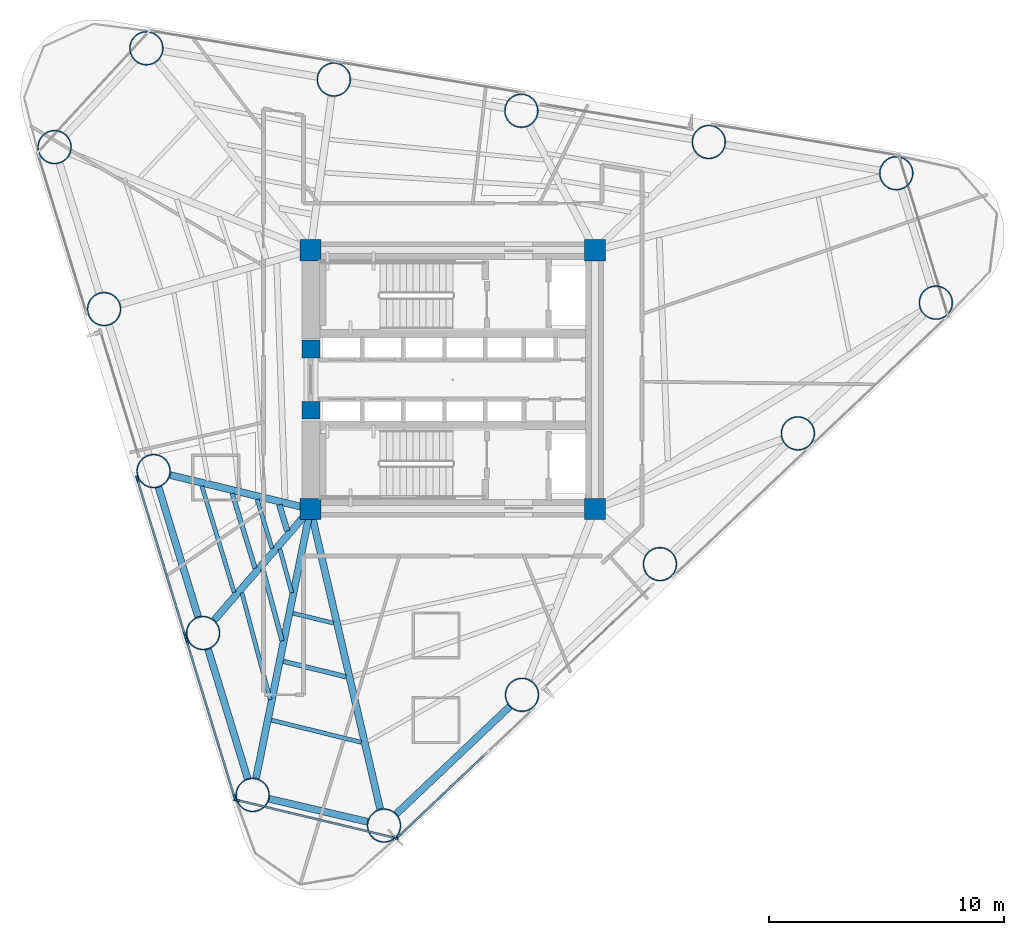
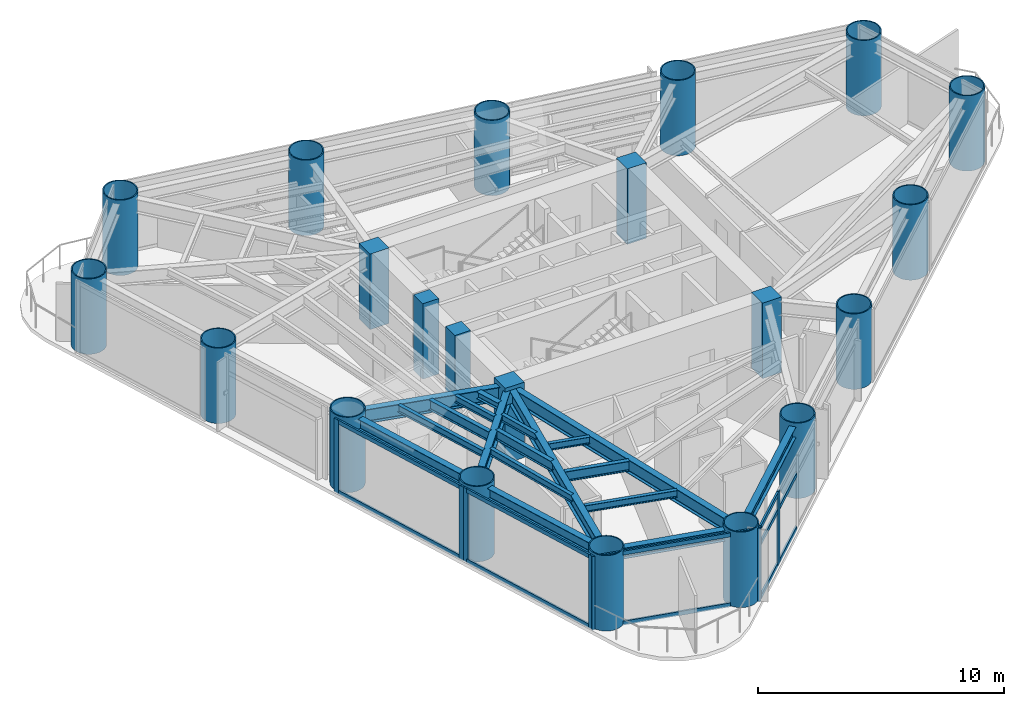
# One storey, part 1 of 10: 21 columns, 19 members, 18 beams, 4 elements without a shape of their own.
"""IFC4 building model written with IfcOpenShell, lengths in metres."""

from ifc_helpers import new_model, si_unit, direction, frame, origin, origin_2d, place, context, subcontext, project, spatial, rectangle, hollow_circle, i_section, extrude, source, transform, mapped, material, layer, layer_set, material_profile, profile_set, type_object, element, aggregate, save


model = new_model("IFC4")

# Units and contexts
model_context = context("Model", 3, precision=1e-05, world=origin(), true_north=direction((0.0, 1.0)))
body_context = subcontext(model_context, "Body", "Model", "MODEL_VIEW")
ifc_project = project(units=[si_unit("LENGTHUNIT", "METRE"), si_unit("AREAUNIT", "SQUARE_METRE"), si_unit("VOLUMEUNIT", "CUBIC_METRE"), si_unit("PLANEANGLEUNIT", "RADIAN"), si_unit("MASSUNIT", "GRAM", prefix="KILO")], contexts=[model_context])

# Site, building, storey
site_placement = place(None, origin())
site = spatial("IfcSite", under=ifc_project, at=site_placement, CompositionType="ELEMENT")
building_placement = place(site_placement, origin())
building = spatial("IfcBuilding", under=site, at=building_placement, Name="Yunling Apex Tower", CompositionType="ELEMENT")
storey_placement = place(building_placement, frame((0.0, 0.0, 89.89990234375)))
storey = spatial("IfcBuildingStorey", under=building, at=storey_placement, Name="L22", CompositionType="ELEMENT", Elevation=89.89990234375)

# Columns
ifc_material_1 = material(Name="Concrete C60", Category="concrete")
ifc_material_profile_1 = material_profile(ifc_material_1, rectangle(XDim=0.89990234375, YDim=0.89990234375, at=origin_2d()))
ifc_profile_set_1 = profile_set([ifc_material_profile_1], Name="Concrete C60")
column_type_1 = type_object("IfcColumnType", Name="PC-SRC-3", PredefinedType="COLUMN", material=ifc_profile_set_1)
shared_shape_1 = source(origin(), body_context, "Body", "SweptSolid", [
    extrude(rectangle(XDim=0.89990234375, YDim=0.89990234375, at=origin_2d()), origin(), (0.0, 0.0, 1.0), 3.75),
])
for number, where, z_axis, x_axis, name in (
    (1, (-6.050048828125, -5.5, 0.0), (0.0, 0.0, 1.0), (1.0, 0.0, 0.0), "L22 Core Spine Column CC-SW"),
    (2, (6.050048828125, -5.5, 0.0), (0.0, 0.0, 1.0), (1.0, 0.0, 0.0), "L22 Core Spine Column CC-SE"),
    (3, (6.050048828125, 5.5, 0.0), (0.0, 0.0, 1.0), (1.0, 0.0, 0.0), "L22 Core Spine Column CC-NE"),
    (4, (-6.050048828125, 5.5, 0.0), (0.0, 0.0, 1.0), (1.0, 0.0, 0.0), "L22 Core Spine Column CC-NW"),
):
    element("IfcColumn", number, at=place(storey_placement, frame(where, z_axis=z_axis, x_axis=x_axis)), inside=storey, type_object=column_type_1, Name=name, PredefinedType="COLUMN", context=body_context, shape_type="MappedRepresentation", body=[
        mapped(shared_shape_1, transform((0.0, 0.0, 0.0), scale=1.0)),
    ])
ifc_material_2 = material(Name="Concrete C50", Category="concrete")
ifc_material_profile_2 = material_profile(ifc_material_2, rectangle(XDim=0.75, YDim=0.75, at=origin_2d()))
ifc_profile_set_2 = profile_set([ifc_material_profile_2], Name="Concrete C50")
column_type_2 = type_object("IfcColumnType", Name="PC-SRC-4", PredefinedType="COLUMN", material=ifc_profile_set_2)
shared_shape_2 = source(origin(), body_context, "Body", "SweptSolid", [
    extrude(rectangle(XDim=0.75, YDim=0.75, at=origin_2d()), origin(), (0.0, 0.0, 1.0), 3.75),
])
for number, where, z_axis, x_axis, name in (
    (5, (-6.02490234375, -1.300048828125, 0.0), (0.0, 0.0, 1.0), (1.0, 0.0, 0.0), "L22 Core West Portal Jamb Column S"),
    (6, (-6.02490234375, 1.300048828125, 0.0), (0.0, 0.0, 1.0), (1.0, 0.0, 0.0), "L22 Core West Portal Jamb Column N"),
):
    element("IfcColumn", number, at=place(storey_placement, frame(where, z_axis=z_axis, x_axis=x_axis)), inside=storey, type_object=column_type_2, Name=name, PredefinedType="COLUMN", context=body_context, shape_type="MappedRepresentation", body=[
        mapped(shared_shape_2, transform((0.0, 0.0, 0.0), scale=1.0)),
    ])
ifc_material_3 = material(Name="Steel Q390GJC", Category="steel")
ifc_material_profile_3 = material_profile(ifc_material_3, hollow_circle(Radius=0.72509765625, WallThickness=0.050048828125, at=origin_2d()))
ifc_profile_set_3 = profile_set([ifc_material_profile_3], Name="Steel Q390GJC")
column_type_3 = type_object("IfcColumnType", Name="MC-CFST-2", PredefinedType="COLUMN", material=ifc_profile_set_3)
shared_shape_3 = source(origin(), body_context, "Body", "SweptSolid", [
    extrude(hollow_circle(Radius=0.72509765625, WallThickness=0.050048828125, at=origin_2d()), origin(), (0.0, 0.0, 1.0), 3.75),
])
for number, where, z_axis, x_axis, name in (
    (7, (-2.92138671875, -18.960205078125, 0.0), (0.0, 0.0, 1.0), (1.0, 0.0, 0.0), "L22 Perimeter CFST Mega-Column P01"),
    (8, (2.943359375, -13.40234375, 0.0), (0.0, 0.0, 1.0), (1.0, 0.0, 0.0), "L22 Perimeter CFST Mega-Column P02"),
    (9, (8.80810546875, -7.8447265625, 0.0), (0.0, 0.0, 1.0), (1.0, 0.0, 0.0), "L22 Perimeter CFST Mega-Column P03"),
    (10, (14.6728515625, -2.287109375, 0.0), (0.0, 0.0, 1.0), (1.0, 0.0, 0.0), "L22 Perimeter CFST Mega-Column P04"),
    (11, (20.53759765625, 3.2705078125, 0.0), (0.0, 0.0, 1.0), (1.0, 0.0, 0.0), "L22 Perimeter CFST Mega-Column P05"),
    (12, (18.855224609375, 8.77294921875, 0.0), (0.0, 0.0, 1.0), (1.0, 0.0, 0.0), "L22 Perimeter CFST Mega-Column P06"),
    (13, (10.88525390625, 10.10107421875, 0.0), (0.0, 0.0, 1.0), (1.0, 0.0, 0.0), "L22 Perimeter CFST Mega-Column P07"),
    (14, (2.915283203125, 11.428955078125, 0.0), (0.0, 0.0, 1.0), (1.0, 0.0, 0.0), "L22 Perimeter CFST Mega-Column P08"),
    (15, (-5.054443359375, 12.757080078125, 0.0), (0.0, 0.0, 1.0), (1.0, 0.0, 0.0), "L22 Perimeter CFST Mega-Column P09"),
    (16, (-13.0244140625, 14.0849609375, 0.0), (0.0, 0.0, 1.0), (1.0, 0.0, 0.0), "L22 Perimeter CFST Mega-Column P10"),
    (17, (-16.927490234375, 9.88330078125, 0.0), (0.0, 0.0, 1.0), (1.0, 0.0, 0.0), "L22 Perimeter CFST Mega-Column P11"),
    (18, (-14.822509765625, 2.99755859375, 0.0), (0.0, 0.0, 1.0), (1.0, 0.0, 0.0), "L22 Perimeter CFST Mega-Column P12"),
    (19, (-12.71728515625, -3.887939453125, 0.0), (0.0, 0.0, 1.0), (1.0, 0.0, 0.0), "L22 Perimeter CFST Mega-Column P13"),
    (20, (-10.612060546875, -10.773681640625, 0.0), (0.0, 0.0, 1.0), (1.0, 0.0, 0.0), "L22 Perimeter CFST Mega-Column P14"),
    (21, (-8.5068359375, -17.6591796875, 0.0), (0.0, 0.0, 1.0), (1.0, 0.0, 0.0), "L22 Perimeter CFST Mega-Column P15"),
):
    element("IfcColumn", number, at=place(storey_placement, frame(where, z_axis=z_axis, x_axis=x_axis)), inside=storey, type_object=column_type_3, Name=name, PredefinedType="COLUMN", context=body_context, shape_type="MappedRepresentation", body=[
        mapped(shared_shape_3, transform((0.0, 0.0, 0.0), scale=1.0)),
    ])

# Beams
ifc_material_4 = material(Name="Steel Q355B", Category="steel")
ifc_material_profile_4 = material_profile(ifc_material_4, i_section(OverallWidth=0.300048828125, OverallDepth=0.5400390625, WebThickness=0.011962890625, FlangeThickness=0.02001953125, FilletRadius=0.02392578125, at=origin_2d()))
ifc_profile_set_4 = profile_set([ifc_material_profile_4], Name="Steel Q355B")
beam_type_1 = type_object("IfcBeamType", Name="BP-SPN-1", PredefinedType="SPANDREL", material=ifc_profile_set_4)
shared_shape_4 = source(origin(), body_context, "Body", "SweptSolid", [
    extrude(i_section(OverallWidth=0.300048828125, OverallDepth=0.5400390625, WebThickness=0.011962890625, FlangeThickness=0.02001953125, FilletRadius=0.02392578125, at=origin_2d()), origin(), (0.0, 0.0, 1.0), 6.6416015625),
])
beam_1_placement = place(storey_placement, frame((-2.3994140625, -18.465576171875, 3.295166015625), z_axis=(0.725837728974, 0.68786596892, 0.0), x_axis=(-0.68786596892, 0.725837728974, 0.0)))
element("IfcBeam", 22, at=beam_1_placement, inside=storey, type_object=beam_type_1, Name="L22 Perimeter Spandrel Beam 1", PredefinedType="SPANDREL", context=body_context, shape_type="MappedRepresentation", body=[
    mapped(shared_shape_4, transform((0.0, 0.0, 0.0), scale=1.0)),
])
shared_shape_5 = source(origin(), body_context, "Body", "SweptSolid", [
    extrude(i_section(OverallWidth=0.300048828125, OverallDepth=0.5400390625, WebThickness=0.011962890625, FlangeThickness=0.02001953125, FilletRadius=0.02392578125, at=origin_2d()), origin(), (0.0, 0.0, 1.0), 5.76220703125),
])
for number, where, z_axis, x_axis, name in (
    (23, (-12.507080078125, -4.57568359375, 3.295166015625), (0.292385374143, -0.956300576695, 0.0), (0.956300576695, 0.292385374143, 0.0), "L22 Perimeter Spandrel Beam 13"),
    (24, (-10.40185546875, -11.461181640625, 3.295166015625), (0.292385374143, -0.956300576695, 0.0), (0.956300576695, 0.292385374143, 0.0), "L22 Perimeter Spandrel Beam 14"),
):
    element("IfcBeam", number, at=place(storey_placement, frame(where, z_axis=z_axis, x_axis=x_axis)), inside=storey, type_object=beam_type_1, Name=name, PredefinedType="SPANDREL", context=body_context, shape_type="MappedRepresentation", body=[
        mapped(shared_shape_5, transform((0.0, 0.0, 0.0), scale=1.0)),
    ])
shared_shape_6 = source(origin(), body_context, "Body", "SweptSolid", [
    extrude(i_section(OverallWidth=0.300048828125, OverallDepth=0.5400390625, WebThickness=0.011962890625, FlangeThickness=0.02001953125, FilletRadius=0.02392578125, at=origin_2d()), origin(), (0.0, 0.0, 1.0), 4.297119140625),
])
beam_2_placement = place(storey_placement, frame((-7.806640625, -17.822509765625, 3.295166015625), z_axis=(0.973939184954, -0.226809312002, 0.0), x_axis=(0.226809312002, 0.973939184954, 0.0)))
element("IfcBeam", 25, at=beam_2_placement, inside=storey, type_object=beam_type_1, Name="L22 Perimeter Spandrel Beam 15", PredefinedType="SPANDREL", context=body_context, shape_type="MappedRepresentation", body=[
    mapped(shared_shape_6, transform((0.0, 0.0, 0.0), scale=1.0)),
])
ifc_material_profile_5 = material_profile(ifc_material_4, i_section(OverallWidth=0.300048828125, OverallDepth=0.699951171875, WebThickness=0.012939453125, FlangeThickness=0.02392578125, FilletRadius=0.02587890625, at=origin_2d()))
ifc_profile_set_5 = profile_set([ifc_material_profile_5], Name="Steel Q355B")
beam_type_2 = type_object("IfcBeamType", Name="BG-PRI-3", PredefinedType="USERDEFINED", material=ifc_profile_set_5)
shared_shape_7 = source(origin(), body_context, "Body", "SweptSolid", [
    extrude(i_section(OverallWidth=0.300048828125, OverallDepth=0.699951171875, WebThickness=0.012939453125, FlangeThickness=0.02392578125, FilletRadius=0.02587890625, at=origin_2d()), origin(), (0.0, 0.0, 1.0), 13.005859375),
])
beam_3_placement = place(storey_placement, frame((-3.08740234375, -18.24609375, 3.215087890625), z_axis=(-0.226402915749, 0.974033736449, 0.0), x_axis=(-0.974033736449, -0.226402915749, 0.0)))
element("IfcBeam", 26, at=beam_3_placement, inside=storey, type_object=beam_type_2, Name="L22 Radial Primary Girder R01", ObjectType="GIRDER", PredefinedType="USERDEFINED", context=body_context, shape_type="MappedRepresentation", body=[
    mapped(shared_shape_7, transform((0.0, 0.0, 0.0), scale=1.0)),
])
shared_shape_8 = source(origin(), body_context, "Body", "SweptSolid", [
    extrude(i_section(OverallWidth=0.300048828125, OverallDepth=0.699951171875, WebThickness=0.012939453125, FlangeThickness=0.02392578125, FilletRadius=0.02587890625, at=origin_2d()), origin(), (0.0, 0.0, 1.0), 6.046630859375),
])
beam_4_placement = place(storey_placement, frame((-12.0048828125, -4.060302734375, 3.215087890625), z_axis=(0.971996717199, -0.234994429199, 0.0), x_axis=(0.234994429199, 0.971996717199, 0.0)))
element("IfcBeam", 27, at=beam_4_placement, inside=storey, type_object=beam_type_2, Name="L22 Radial Primary Girder R13", ObjectType="GIRDER", PredefinedType="USERDEFINED", context=body_context, shape_type="MappedRepresentation", body=[
    mapped(shared_shape_8, transform((0.0, 0.0, 0.0), scale=1.0)),
])
shared_shape_9 = source(origin(), body_context, "Body", "SweptSolid", [
    extrude(i_section(OverallWidth=0.300048828125, OverallDepth=0.699951171875, WebThickness=0.012939453125, FlangeThickness=0.02392578125, FilletRadius=0.02587890625, at=origin_2d()), origin(), (0.0, 0.0, 1.0), 6.16015625),
])
beam_5_placement = place(storey_placement, frame((-10.132568359375, -10.21923828125, 3.215087890625), z_axis=(0.654257326822, 0.756272008142, 0.0), x_axis=(-0.756272008142, 0.654257326822, 0.0)))
element("IfcBeam", 28, at=beam_5_placement, inside=storey, type_object=beam_type_2, Name="L22 Radial Primary Girder R14", ObjectType="GIRDER", PredefinedType="USERDEFINED", context=body_context, shape_type="MappedRepresentation", body=[
    mapped(shared_shape_9, transform((0.0, 0.0, 0.0), scale=1.0)),
])
shared_shape_10 = source(origin(), body_context, "Body", "SweptSolid", [
    extrude(i_section(OverallWidth=0.300048828125, OverallDepth=0.699951171875, WebThickness=0.012939453125, FlangeThickness=0.02392578125, FilletRadius=0.02587890625, at=origin_2d()), origin(), (0.0, 0.0, 1.0), 11.59228515625),
])
beam_6_placement = place(storey_placement, frame((-8.36181640625, -16.94091796875, 3.215087890625), z_axis=(0.198055775124, 0.980190751813, 0.0), x_axis=(-0.980190751813, 0.198055775124, 0.0)))
element("IfcBeam", 29, at=beam_6_placement, inside=storey, type_object=beam_type_2, Name="L22 Radial Primary Girder R15", ObjectType="GIRDER", PredefinedType="USERDEFINED", context=body_context, shape_type="MappedRepresentation", body=[
    mapped(shared_shape_10, transform((0.0, 0.0, 0.0), scale=1.0)),
])
ifc_material_profile_6 = material_profile(ifc_material_4, i_section(OverallWidth=0.199951171875, OverallDepth=0.5, WebThickness=0.010009765625, FlangeThickness=0.01611328125, FilletRadius=0.02001953125, at=origin_2d()))
ifc_profile_set_6 = profile_set([ifc_material_profile_6], Name="Steel Q355B")
beam_type_3 = type_object("IfcBeamType", Name="BS-SEC-2", PredefinedType="BEAM", material=ifc_profile_set_6)
shared_shape_11 = source(origin(), body_context, "Body", "SweptSolid", [
    extrude(i_section(OverallWidth=0.199951171875, OverallDepth=0.5, WebThickness=0.010009765625, FlangeThickness=0.01611328125, FilletRadius=0.02001953125, at=origin_2d()), origin(), (0.0, 0.0, 1.0), 3.321533203125),
])
beam_7_placement = place(storey_placement, frame((-9.372314453125, -4.838623046875, 3.315185546875), z_axis=(0.291000743066, -0.956722826912, 0.0), x_axis=(0.956722826912, 0.291000743066, 0.0)))
element("IfcBeam", 30, at=beam_7_placement, inside=storey, type_object=beam_type_3, Name="L22 Composite Floor Beam BS-13", PredefinedType="BEAM", context=body_context, shape_type="MappedRepresentation", body=[
    mapped(shared_shape_11, transform((0.0, 0.0, 0.0), scale=1.0)),
])
ifc_material_profile_7 = material_profile(ifc_material_4, i_section(OverallWidth=0.175048828125, OverallDepth=0.35009765625, WebThickness=0.007080078125, FlangeThickness=0.010986328125, FilletRadius=0.013916015625, at=origin_2d()))
ifc_profile_set_7 = profile_set([ifc_material_profile_7], Name="Steel Q355B")
beam_type_4 = type_object("IfcBeamType", Name="BJ-JST-1", PredefinedType="JOIST", material=ifc_profile_set_7)
shared_shape_12 = source(origin(), body_context, "Body", "SweptSolid", [
    extrude(i_section(OverallWidth=0.175048828125, OverallDepth=0.35009765625, WebThickness=0.007080078125, FlangeThickness=0.010986328125, FilletRadius=0.013916015625, at=origin_2d()), origin(), (0.0, 0.0, 1.0), 4.719482421875),
])
beam_8_placement = place(storey_placement, frame((-10.665283203125, -4.52587890625, 3.39013671875), z_axis=(0.290881649014, -0.95675904295, 0.0), x_axis=(0.95675904295, 0.290881649014, 0.0)))
element("IfcBeam", 31, at=beam_8_placement, inside=storey, type_object=beam_type_4, Name="L22 Composite Floor Joist BJ1-13", PredefinedType="JOIST", context=body_context, shape_type="MappedRepresentation", body=[
    mapped(shared_shape_12, transform((0.0, 0.0, 0.0), scale=1.0)),
])
shared_shape_13 = source(origin(), body_context, "Body", "SweptSolid", [
    extrude(i_section(OverallWidth=0.175048828125, OverallDepth=0.35009765625, WebThickness=0.007080078125, FlangeThickness=0.010986328125, FilletRadius=0.013916015625, at=origin_2d()), origin(), (0.0, 0.0, 1.0), 2.177734375),
])
beam_9_placement = place(storey_placement, frame((-8.314453125, -5.09423828125, 3.39013671875), z_axis=(0.291130389824, -0.956683383425, 0.0), x_axis=(0.956683383425, 0.291130389824, 0.0)))
element("IfcBeam", 32, at=beam_9_placement, inside=storey, type_object=beam_type_4, Name="L22 Composite Floor Joist BJ3-13", PredefinedType="JOIST", context=body_context, shape_type="MappedRepresentation", body=[
    mapped(shared_shape_13, transform((0.0, 0.0, 0.0), scale=1.0)),
])
ifc_material_profile_8 = material_profile(ifc_material_4, i_section(OverallWidth=0.25, OverallDepth=0.340087890625, WebThickness=0.009033203125, FlangeThickness=0.013916015625, FilletRadius=0.01806640625, at=origin_2d()))
ifc_profile_set_8 = profile_set([ifc_material_profile_8], Name="Steel Q355B")
beam_type_5 = type_object("IfcBeamType", Name="BJ-JST-2", PredefinedType="JOIST", material=ifc_profile_set_8)
shared_shape_14 = source(origin(), body_context, "Body", "SweptSolid", [
    extrude(i_section(OverallWidth=0.25, OverallDepth=0.340087890625, WebThickness=0.009033203125, FlangeThickness=0.013916015625, FilletRadius=0.01806640625, at=origin_2d()), origin(), (0.0, 0.0, 1.0), 1.160888671875),
])
beam_10_placement = place(storey_placement, frame((-7.3740234375, -5.32177734375, 3.39501953125), z_axis=(0.291454472577, -0.956584701119, 0.0), x_axis=(0.956584701119, 0.291454472577, 0.0)))
element("IfcBeam", 33, at=beam_10_placement, inside=storey, type_object=beam_type_5, Name="L22 Composite Floor Joist BJ2-13", PredefinedType="JOIST", context=body_context, shape_type="MappedRepresentation", body=[
    mapped(shared_shape_14, transform((0.0, 0.0, 0.0), scale=1.0)),
])
shared_shape_15 = source(origin(), body_context, "Body", "SweptSolid", [
    extrude(i_section(OverallWidth=0.199951171875, OverallDepth=0.5, WebThickness=0.010009765625, FlangeThickness=0.01611328125, FilletRadius=0.02001953125, at=origin_2d()), origin(), (0.0, 0.0, 1.0), 3.168701171875),
])
beam_11_placement = place(storey_placement, frame((-8.075927734375, -8.04443359375, 3.315185546875), z_axis=(0.259033901524, -0.965868230071, 0.0), x_axis=(0.965868230071, 0.259033901524, 0.0)))
element("IfcBeam", 34, at=beam_11_placement, inside=storey, type_object=beam_type_3, Name="L22 Composite Floor Beam BS-14", PredefinedType="BEAM", context=body_context, shape_type="MappedRepresentation", body=[
    mapped(shared_shape_15, transform((0.0, 0.0, 0.0), scale=1.0)),
])
shared_shape_16 = source(origin(), body_context, "Body", "SweptSolid", [
    extrude(i_section(OverallWidth=0.175048828125, OverallDepth=0.35009765625, WebThickness=0.007080078125, FlangeThickness=0.010986328125, FilletRadius=0.013916015625, at=origin_2d()), origin(), (0.0, 0.0, 1.0), 4.69189453125),
])
beam_12_placement = place(storey_placement, frame((-8.962890625, -9.069580078125, 3.39013671875), z_axis=(0.256370213066, -0.966578664079, 0.0), x_axis=(0.966578664079, 0.256370213066, 0.0)))
element("IfcBeam", 35, at=beam_12_placement, inside=storey, type_object=beam_type_4, Name="L22 Composite Floor Joist BJ1-14", PredefinedType="JOIST", context=body_context, shape_type="MappedRepresentation", body=[
    mapped(shared_shape_16, transform((0.0, 0.0, 0.0), scale=1.0)),
])
shared_shape_17 = source(origin(), body_context, "Body", "SweptSolid", [
    extrude(i_section(OverallWidth=0.175048828125, OverallDepth=0.35009765625, WebThickness=0.007080078125, FlangeThickness=0.010986328125, FilletRadius=0.013916015625, at=origin_2d()), origin(), (0.0, 0.0, 1.0), 1.92236328125),
])
beam_13_placement = place(storey_placement, frame((-7.349853515625, -7.205810546875, 3.39013671875), z_axis=(0.263783616245, -0.964581880299, 0.0), x_axis=(0.964581880299, 0.263783616245, 0.0)))
element("IfcBeam", 36, at=beam_13_placement, inside=storey, type_object=beam_type_4, Name="L22 Composite Floor Joist BJ3-14", PredefinedType="JOIST", context=body_context, shape_type="MappedRepresentation", body=[
    mapped(shared_shape_17, transform((0.0, 0.0, 0.0), scale=1.0)),
])
shared_shape_18 = source(origin(), body_context, "Body", "SweptSolid", [
    extrude(i_section(OverallWidth=0.199951171875, OverallDepth=0.5, WebThickness=0.010009765625, FlangeThickness=0.01611328125, FilletRadius=0.02001953125, at=origin_2d()), origin(), (0.0, 0.0, 1.0), 2.737060546875),
])
beam_14_placement = place(storey_placement, frame((-7.196044921875, -11.9794921875, 3.315185546875), z_axis=(0.971007234619, -0.239050100016, 0.0), x_axis=(0.239050100016, 0.971007234619, 0.0)))
element("IfcBeam", 37, at=beam_14_placement, inside=storey, type_object=beam_type_3, Name="L22 Composite Floor Beam BS-15", PredefinedType="BEAM", context=body_context, shape_type="MappedRepresentation", body=[
    mapped(shared_shape_18, transform((0.0, 0.0, 0.0), scale=1.0)),
])
shared_shape_19 = source(origin(), body_context, "Body", "SweptSolid", [
    extrude(i_section(OverallWidth=0.175048828125, OverallDepth=0.35009765625, WebThickness=0.007080078125, FlangeThickness=0.010986328125, FilletRadius=0.013916015625, at=origin_2d()), origin(), (0.0, 0.0, 1.0), 3.925537109375),
])
beam_15_placement = place(storey_placement, frame((-7.701416015625, -14.4794921875, 3.39013671875), z_axis=(0.970833614746, -0.239754233494, 0.0), x_axis=(0.239754233494, 0.970833614746, 0.0)))
element("IfcBeam", 38, at=beam_15_placement, inside=storey, type_object=beam_type_4, Name="L22 Composite Floor Joist BJ1-15", PredefinedType="JOIST", context=body_context, shape_type="MappedRepresentation", body=[
    mapped(shared_shape_19, transform((0.0, 0.0, 0.0), scale=1.0)),
])
shared_shape_20 = source(origin(), body_context, "Body", "SweptSolid", [
    extrude(i_section(OverallWidth=0.175048828125, OverallDepth=0.35009765625, WebThickness=0.007080078125, FlangeThickness=0.010986328125, FilletRadius=0.013916015625, at=origin_2d()), origin(), (0.0, 0.0, 1.0), 1.764892578125),
])
beam_16_placement = place(storey_placement, frame((-6.78271484375, -9.93408203125, 3.39013671875), z_axis=(0.971318830932, -0.237780841694, 0.0), x_axis=(0.237780841694, 0.971318830932, 0.0)))
element("IfcBeam", 39, at=beam_16_placement, inside=storey, type_object=beam_type_4, Name="L22 Composite Floor Joist BJ3-15", PredefinedType="JOIST", context=body_context, shape_type="MappedRepresentation", body=[
    mapped(shared_shape_20, transform((0.0, 0.0, 0.0), scale=1.0)),
])

# Curtain wall, members
ifc_material_5 = material(Name="Bronze anodised aluminium", Category="aluminium")
ifc_layer = layer(ifc_material_5, 0.260009765625)
ifc_layer_set = layer_set([ifc_layer], Name="Bronze anodised aluminium")
curtain_wall_type = type_object("IfcCurtainWallType", Name="CW-SYS-2", PredefinedType="NOTDEFINED", material=ifc_layer_set)
curtain_wall_1_placement = place(storey_placement, origin())
curtain_wall_1 = element("IfcCurtainWall", 40, at=curtain_wall_1_placement, inside=storey, type_object=curtain_wall_type, Name="CW-L22-F1-B1", PredefinedType="NOTDEFINED")
ifc_material_profile_9 = material_profile(ifc_material_5, rectangle(XDim=0.0849609375, YDim=0.260009765625, at=origin_2d()))
ifc_profile_set_9 = profile_set([ifc_material_profile_9], Name="Bronze anodised aluminium")
member_type_1 = type_object("IfcMemberType", Name="CW-MUL-2", PredefinedType="MULLION", material=ifc_profile_set_9)
shared_shape_21 = source(origin(), body_context, "Body", "SweptSolid", [
    extrude(rectangle(XDim=0.0849609375, YDim=0.260009765625, at=origin_2d()), origin(), (0.0, 0.0, 1.0), 3.664794921875),
])
member_1_placement = place(storey_placement, frame((-2.3095703125, -19.427490234375, -0.0498046875), z_axis=(0.0, 0.0, 1.0), x_axis=(-0.687861264918, 0.72584218686, 0.0)))
member_1 = element("IfcMember", 41, at=member_1_placement, type_object=member_type_1, Name="CW-SYS-2 mullion 1", PredefinedType="MULLION", context=body_context, shape_type="MappedRepresentation", body=[
    mapped(shared_shape_21, transform((0.0, 0.0, 0.0), scale=1.0)),
])
member_2_placement = place(storey_placement, frame((-0.42431640625, -17.640869140625, -0.0498046875), z_axis=(0.0, 0.0, 1.0), x_axis=(-0.687861264918, 0.72584218686, 0.0)))
member_2 = element("IfcMember", 42, at=member_2_placement, type_object=member_type_1, Name="CW-SYS-2 mullion 2", PredefinedType="MULLION", context=body_context, shape_type="MappedRepresentation", body=[
    mapped(shared_shape_21, transform((0.0, 0.0, 0.0), scale=1.0)),
])

curtain_wall_2_placement = place(storey_placement, origin())
curtain_wall_2 = element("IfcCurtainWall", 43, at=curtain_wall_2_placement, inside=storey, type_object=curtain_wall_type, Name="CW-L22-F3-B3", PredefinedType="NOTDEFINED")
member_3_placement = place(storey_placement, frame((-13.408203125, -4.227294921875, -0.0498046875), z_axis=(0.0, 0.0, 1.0), x_axis=(0.956304476342, 0.292372619321, 0.0)))
member_3 = element("IfcMember", 44, at=member_3_placement, type_object=member_type_1, Name="CW-SYS-2 mullion 1", PredefinedType="MULLION", context=body_context, shape_type="MappedRepresentation", body=[
    mapped(shared_shape_21, transform((0.0, 0.0, 0.0), scale=1.0)),
])
member_4_placement = place(storey_placement, frame((-11.374755859375, -10.878662109375, -0.0498046875), z_axis=(0.0, 0.0, 1.0), x_axis=(0.956304476342, 0.292372619321, 0.0)))
member_4 = element("IfcMember", 45, at=member_4_placement, type_object=member_type_1, Name="CW-SYS-2 mullion 2", PredefinedType="MULLION", context=body_context, shape_type="MappedRepresentation", body=[
    mapped(shared_shape_21, transform((0.0, 0.0, 0.0), scale=1.0)),
])

curtain_wall_3_placement = place(storey_placement, origin())
curtain_wall_3 = element("IfcCurtainWall", 46, at=curtain_wall_3_placement, inside=storey, type_object=curtain_wall_type, Name="CW-L22-F3-B4", PredefinedType="NOTDEFINED")
member_5_placement = place(storey_placement, frame((-11.302978515625, -11.113037109375, -0.0498046875), z_axis=(0.0, 0.0, 1.0), x_axis=(0.956304476342, 0.292372619321, 0.0)))
member_5 = element("IfcMember", 47, at=member_5_placement, type_object=member_type_1, Name="CW-SYS-2 mullion 1", PredefinedType="MULLION", context=body_context, shape_type="MappedRepresentation", body=[
    mapped(shared_shape_21, transform((0.0, 0.0, 0.0), scale=1.0)),
])
member_6_placement = place(storey_placement, frame((-9.26953125, -17.764404296875, -0.0498046875), z_axis=(0.0, 0.0, 1.0), x_axis=(0.956304476342, 0.292372619321, 0.0)))
member_6 = element("IfcMember", 48, at=member_6_placement, type_object=member_type_1, Name="CW-SYS-2 mullion 2", PredefinedType="MULLION", context=body_context, shape_type="MappedRepresentation", body=[
    mapped(shared_shape_21, transform((0.0, 0.0, 0.0), scale=1.0)),
])

curtain_wall_4_placement = place(storey_placement, origin())
curtain_wall_4 = element("IfcCurtainWall", 49, at=curtain_wall_4_placement, inside=storey, type_object=curtain_wall_type, Name="CW-L22-CRN3", PredefinedType="NOTDEFINED")
member_7_placement = place(storey_placement, frame((-9.17333984375, -17.885498046875, -0.0498046875), z_axis=(0.0, 0.0, 1.0), x_axis=(0.23189504865, 0.972740811528, 0.0)))
member_7 = element("IfcMember", 50, at=member_7_placement, type_object=member_type_1, Name="CW-SYS-2 mullion 1", PredefinedType="MULLION", context=body_context, shape_type="MappedRepresentation", body=[
    mapped(shared_shape_21, transform((0.0, 0.0, 0.0), scale=1.0)),
])
member_8_placement = place(storey_placement, frame((-2.453857421875, -19.487548828125, -0.0498046875), z_axis=(0.0, 0.0, 1.0), x_axis=(0.23189504865, 0.972740811528, 0.0)))
member_8 = element("IfcMember", 51, at=member_8_placement, type_object=member_type_1, Name="CW-SYS-2 mullion 2", PredefinedType="MULLION", context=body_context, shape_type="MappedRepresentation", body=[
    mapped(shared_shape_21, transform((0.0, 0.0, 0.0), scale=1.0)),
])

# Member
ifc_material_profile_10 = material_profile(ifc_material_5, rectangle(XDim=0.0849609375, YDim=0.199951171875, at=origin_2d()))
ifc_profile_set_10 = profile_set([ifc_material_profile_10], Name="Bronze anodised aluminium")
member_type_2 = type_object("IfcMemberType", Name="CW-TRN-2", PredefinedType="USERDEFINED", material=ifc_profile_set_10)
shared_shape_22 = source(origin(), body_context, "Body", "SweptSolid", [
    extrude(rectangle(XDim=0.0849609375, YDim=0.199951171875, at=origin_2d()), origin(), (0.0, 0.0, 1.0), 2.52099609375),
])
member_9_placement = place(storey_placement, frame((-2.281982421875, -19.4013671875, 0.04248046875), z_axis=(0.725833069148, 0.687870885945, 0.0), x_axis=(-0.687870885945, 0.725833069148, 0.0)))
member_9 = element("IfcMember", 52, at=member_9_placement, type_object=member_type_2, Name="CW-SYS-2 transom 1.1", ObjectType="TRANSOM", PredefinedType="USERDEFINED", context=body_context, shape_type="MappedRepresentation", body=[
    mapped(shared_shape_22, transform((0.0, 0.0, 0.0), scale=1.0)),
])

member_10_placement = place(storey_placement, frame((-2.281982421875, -19.4013671875, 2.715087890625), z_axis=(0.725833069148, 0.687870885945, 0.0), x_axis=(-0.687870885945, 0.725833069148, 0.0)))
member_10 = element("IfcMember", 53, at=member_10_placement, type_object=member_type_2, Name="CW-SYS-2 transom 1.2", ObjectType="TRANSOM", PredefinedType="USERDEFINED", context=body_context, shape_type="MappedRepresentation", body=[
    mapped(shared_shape_22, transform((0.0, 0.0, 0.0), scale=1.0)),
])

member_11_placement = place(storey_placement, frame((-2.281982421875, -19.4013671875, 3.522705078125), z_axis=(0.725833069148, 0.687870885945, 0.0), x_axis=(-0.687870885945, 0.725833069148, 0.0)))
member_11 = element("IfcMember", 54, at=member_11_placement, type_object=member_type_2, Name="CW-SYS-2 transom 1.3", ObjectType="TRANSOM", PredefinedType="USERDEFINED", context=body_context, shape_type="MappedRepresentation", body=[
    mapped(shared_shape_22, transform((0.0, 0.0, 0.0), scale=1.0)),
])

shared_shape_23 = source(origin(), body_context, "Body", "SweptSolid", [
    extrude(rectangle(XDim=0.0849609375, YDim=0.199951171875, at=origin_2d()), origin(), (0.0, 0.0, 1.0), 2.563232421875),
])
member_12_placement = place(storey_placement, frame((-0.396484375, -17.614501953125, 0.04248046875), z_axis=(0.725852566003, 0.687850312515, 0.0), x_axis=(-0.687850312515, 0.725852566003, 0.0)))
member_12 = element("IfcMember", 55, at=member_12_placement, type_object=member_type_2, Name="CW-SYS-2 transom 2.1", ObjectType="TRANSOM", PredefinedType="USERDEFINED", context=body_context, shape_type="MappedRepresentation", body=[
    mapped(shared_shape_23, transform((0.0, 0.0, 0.0), scale=1.0)),
])

member_13_placement = place(storey_placement, frame((-0.396484375, -17.614501953125, 2.715087890625), z_axis=(0.725852566003, 0.687850312515, 0.0), x_axis=(-0.687850312515, 0.725852566003, 0.0)))
member_13 = element("IfcMember", 56, at=member_13_placement, type_object=member_type_2, Name="CW-SYS-2 transom 2.2", ObjectType="TRANSOM", PredefinedType="USERDEFINED", context=body_context, shape_type="MappedRepresentation", body=[
    mapped(shared_shape_23, transform((0.0, 0.0, 0.0), scale=1.0)),
])

aggregate(curtain_wall_1, [member_1, member_2, member_9, member_10, member_11, member_12, member_13])

shared_shape_24 = source(origin(), body_context, "Body", "SweptSolid", [
    extrude(rectangle(XDim=0.0849609375, YDim=0.199951171875, at=origin_2d()), origin(), (0.0, 0.0, 1.0), 6.831298828125),
])
member_14_placement = place(storey_placement, frame((-9.135986328125, -17.89453125, 0.04248046875), z_axis=(0.972745593735, -0.231874987587, 0.0), x_axis=(0.231874987587, 0.972745593735, 0.0)))
member_14 = element("IfcMember", 57, at=member_14_placement, type_object=member_type_2, Name="CW-SYS-2 transom 1.1", ObjectType="TRANSOM", PredefinedType="USERDEFINED", context=body_context, shape_type="MappedRepresentation", body=[
    mapped(shared_shape_24, transform((0.0, 0.0, 0.0), scale=1.0)),
])

member_15_placement = place(storey_placement, frame((-9.135986328125, -17.89453125, 3.522705078125), z_axis=(0.972745593735, -0.231874987587, 0.0), x_axis=(0.231874987587, 0.972745593735, 0.0)))
member_15 = element("IfcMember", 58, at=member_15_placement, type_object=member_type_2, Name="CW-SYS-2 transom 1.2", ObjectType="TRANSOM", PredefinedType="USERDEFINED", context=body_context, shape_type="MappedRepresentation", body=[
    mapped(shared_shape_24, transform((0.0, 0.0, 0.0), scale=1.0)),
])

aggregate(curtain_wall_4, [member_7, member_8, member_14, member_15])

shared_shape_25 = source(origin(), body_context, "Body", "SweptSolid", [
    extrude(rectangle(XDim=0.0849609375, YDim=0.199951171875, at=origin_2d()), origin(), (0.0, 0.0, 1.0), 6.878662109375),
])
member_16_placement = place(storey_placement, frame((-11.2919921875, -11.149658203125, 0.04248046875), z_axis=(0.29238444517, -0.956300860725, 0.0), x_axis=(0.956300860725, 0.29238444517, 0.0)))
member_16 = element("IfcMember", 59, at=member_16_placement, type_object=member_type_2, Name="CW-SYS-2 transom 1.1", ObjectType="TRANSOM", PredefinedType="USERDEFINED", context=body_context, shape_type="MappedRepresentation", body=[
    mapped(shared_shape_25, transform((0.0, 0.0, 0.0), scale=1.0)),
])

member_17_placement = place(storey_placement, frame((-11.2919921875, -11.149658203125, 3.522705078125), z_axis=(0.29238444517, -0.956300860725, 0.0), x_axis=(0.956300860725, 0.29238444517, 0.0)))
member_17 = element("IfcMember", 60, at=member_17_placement, type_object=member_type_2, Name="CW-SYS-2 transom 1.2", ObjectType="TRANSOM", PredefinedType="USERDEFINED", context=body_context, shape_type="MappedRepresentation", body=[
    mapped(shared_shape_25, transform((0.0, 0.0, 0.0), scale=1.0)),
])

aggregate(curtain_wall_3, [member_5, member_6, member_16, member_17])

shared_shape_26 = source(origin(), body_context, "Body", "SweptSolid", [
    extrude(rectangle(XDim=0.0849609375, YDim=0.199951171875, at=origin_2d()), origin(), (0.0, 0.0, 1.0), 6.87890625),
])
member_18_placement = place(storey_placement, frame((-13.39697265625, -4.263916015625, 0.04248046875), z_axis=(0.29234206402, -0.956313817533, 0.0), x_axis=(0.956313817533, 0.29234206402, 0.0)))
member_18 = element("IfcMember", 61, at=member_18_placement, type_object=member_type_2, Name="CW-SYS-2 transom 1.1", ObjectType="TRANSOM", PredefinedType="USERDEFINED", context=body_context, shape_type="MappedRepresentation", body=[
    mapped(shared_shape_26, transform((0.0, 0.0, 0.0), scale=1.0)),
])

member_19_placement = place(storey_placement, frame((-13.39697265625, -4.263916015625, 3.522705078125), z_axis=(0.29234206402, -0.956313817533, 0.0), x_axis=(0.956313817533, 0.29234206402, 0.0)))
member_19 = element("IfcMember", 62, at=member_19_placement, type_object=member_type_2, Name="CW-SYS-2 transom 1.2", ObjectType="TRANSOM", PredefinedType="USERDEFINED", context=body_context, shape_type="MappedRepresentation", body=[
    mapped(shared_shape_26, transform((0.0, 0.0, 0.0), scale=1.0)),
])

aggregate(curtain_wall_2, [member_3, member_4, member_18, member_19])

save(model, "model.ifc")
